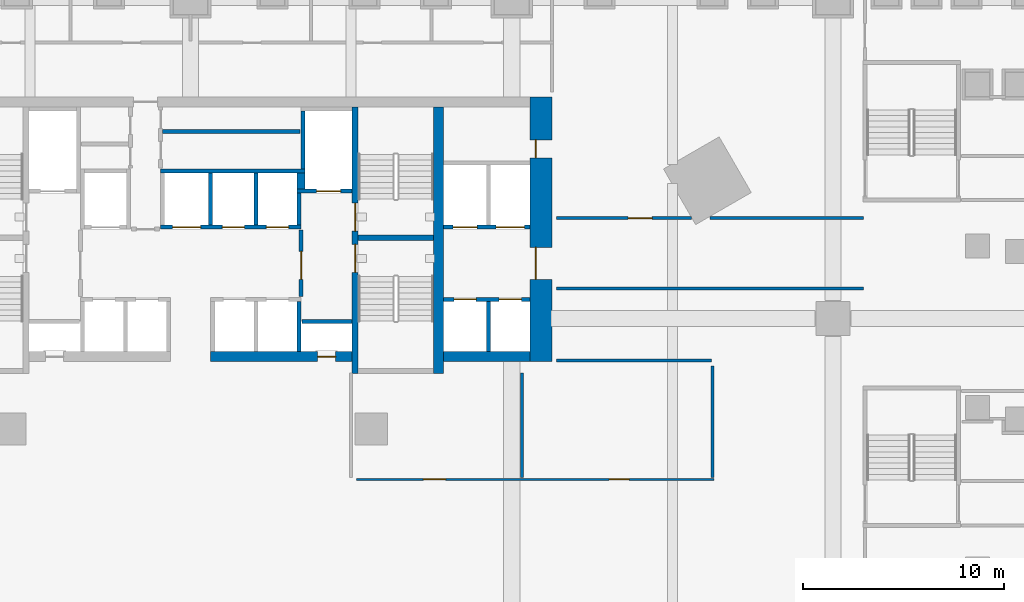
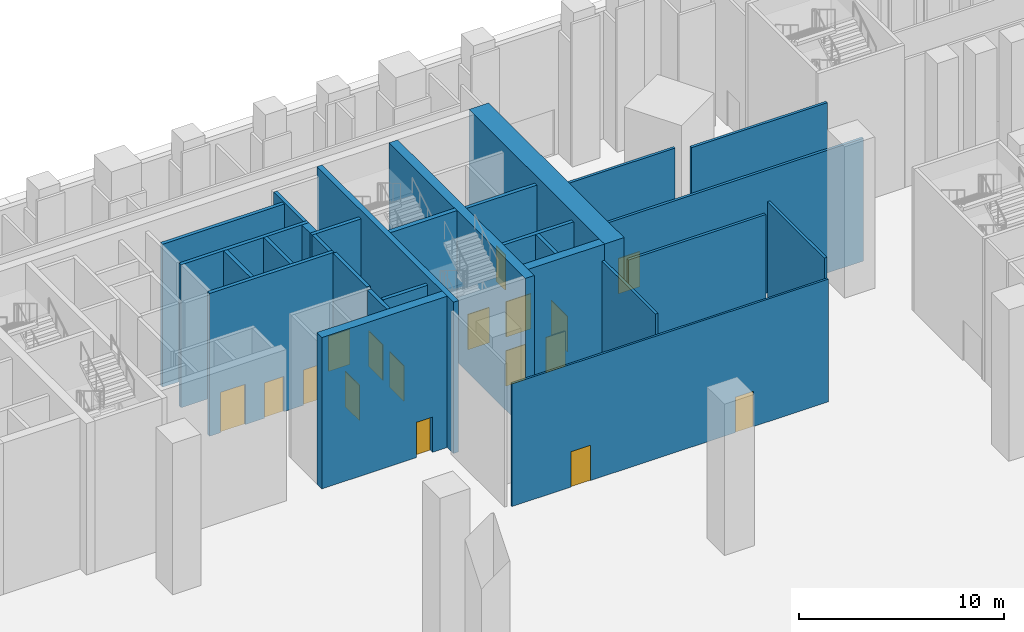
# One storey, part 27 of 51: 28 walls, 17 doors, 17 openings.
"""IFC4 building model written with IfcOpenShell, lengths in metres."""

from ifc_helpers import new_model, si_unit, direction, frame, frame_2d, origin, place, context, subcontext, project, spatial, rectangle, extrude, material, layer, layer_set, type_object, element, fill, save


model = new_model("IFC4")

# Units and contexts
model_context = context("Model", 3, precision=1e-05, world=origin(), true_north=direction((0.0, 1.0)))
body_context = subcontext(model_context, "Body", "Model", "MODEL_VIEW")
ifc_project = project(units=[si_unit("LENGTHUNIT", "METRE"), si_unit("AREAUNIT", "SQUARE_METRE"), si_unit("VOLUMEUNIT", "CUBIC_METRE"), si_unit("PLANEANGLEUNIT", "RADIAN"), si_unit("MASSUNIT", "GRAM", prefix="KILO")], contexts=[model_context])

# Site, building, storey
site_placement = place(None, origin())
site = spatial("IfcSite", under=ifc_project, at=site_placement, CompositionType="ELEMENT")
building_placement = place(site_placement, origin())
building = spatial("IfcBuilding", under=site, at=building_placement, Name="Calabash Gate Tower", CompositionType="ELEMENT")
storey_placement = place(building_placement, origin())
storey = spatial("IfcBuildingStorey", under=building, at=storey_placement, Name="L00", CompositionType="ELEMENT", Elevation=0.0)

# Wall, openings, doors
ifc_material_1 = material(Name="Concrete C80/95", Category="concrete")
ifc_layer_1 = layer(ifc_material_1, 1.10009765625)
ifc_layer_set_1 = layer_set([ifc_layer_1], Name="Core wall 1100 Concrete C80/95")
wall_type_1 = type_object("IfcWallType", Name="Core wall 1100 Concrete C80/95", PredefinedType="SHEAR", material=ifc_layer_set_1)
wall_1_placement = place(storey_placement, frame((17.449951171875, 5.8525390625, 0.0), z_axis=(0.0, 0.0, 1.0), x_axis=(0.0, 1.0, 0.0)))
wall_1 = element("IfcWall", 1, at=wall_1_placement, inside=storey, type_object=wall_type_1, Name="Core wall Z0-ENDE L00", PredefinedType="SHEAR", context=body_context, shape_type="SweptSolid", body=[
    extrude(rectangle(XDim=13.199951171875, YDim=1.10009765625, at=frame_2d((6.60009765625, 0.0))), origin(), (0.0, 0.0, 1.0), 9.0),
])
opening_1_placement = place(wall_1_placement, frame((4.10009765625, 0.0, 0.0)))
opening_1 = element("IfcOpeningElement", 2, at=opening_1_placement, cuts=wall_1, Name="Opening L00-048", PredefinedType="OPENING", context=body_context, shape_type="SweptSolid", body=[
    extrude(rectangle(XDim=1.60009765625, YDim=2.10009765625, at=frame_2d((0.800048828125, 1.050048828125))), frame((0.0, 0.56005859375, 0.0), z_axis=(0.0, -1.0, 0.0), x_axis=(1.0, 0.0, 0.0)), (0.0, 0.0, 1.0), 1.1201171875),
])
opening_2_placement = place(wall_1_placement, frame((10.14990234375, 0.0, 0.0)))
opening_2 = element("IfcOpeningElement", 3, at=opening_2_placement, cuts=wall_1, Name="Opening L00-049", PredefinedType="OPENING", context=body_context, shape_type="SweptSolid", body=[
    extrude(rectangle(XDim=0.89990234375, YDim=2.10009765625, at=frame_2d((0.449951171875, 1.050048828125))), frame((0.0, 0.56005859375, 0.0), z_axis=(0.0, -1.0, 0.0), x_axis=(1.0, 0.0, 0.0)), (0.0, 0.0, 1.0), 1.1201171875),
])
ifc_material_2 = material(Name="Steel fire door set with fire-resisting glazing", Category="steel")
door_type_1 = type_object("IfcDoorType", Name="Double fire door D08 1600x2100 FD60", OperationType="DOUBLE_DOOR_SINGLE_SWING", PredefinedType="DOOR", material=ifc_material_2)
door_1_placement = place(opening_1_placement, origin())
door_1 = element("IfcDoor", 4, at=door_1_placement, inside=storey, type_object=door_type_1, Name="Low-rise Lift Lobby E door", OperationType="DOUBLE_DOOR_SINGLE_SWING", OverallHeight=2.10009765625, OverallWidth=1.60009765625, PredefinedType="DOOR", context=body_context, shape_type="SweptSolid", body=[
    extrude(rectangle(XDim=1.60009765625, YDim=2.10009765625, at=frame_2d((0.800048828125, 1.050048828125))), frame((0.0, 0.27490234375, 0.0), z_axis=(0.0, -1.0, 0.0), x_axis=(1.0, 0.0, 0.0)), (0.0, 0.0, 1.0), 0.050048828125),
])
fill(opening_1, door_1)
ifc_material_3 = material(Name="Steel fire door set with fire-resisting glazing", Category="steel")
door_type_2 = type_object("IfcDoorType", Name="Fire door D06 900x2100 FD60", OperationType="NOTDEFINED", PredefinedType="DOOR", material=ifc_material_3)
door_2_placement = place(opening_2_placement, origin())
door_2 = element("IfcDoor", 5, at=door_2_placement, inside=storey, type_object=door_type_2, Name="Pantry door", OperationType="SINGLE_SWING_LEFT", OverallHeight=2.10009765625, OverallWidth=0.89990234375, PredefinedType="DOOR", context=body_context, shape_type="SweptSolid", body=[
    extrude(rectangle(XDim=0.89990234375, YDim=2.10009765625, at=frame_2d((0.449951171875, 1.050048828125))), frame((0.0, 0.27490234375, 0.0), z_axis=(0.0, -1.0, 0.0), x_axis=(1.0, 0.0, 0.0)), (0.0, 0.0, 1.0), 0.050048828125),
])
fill(opening_2, door_2)

# Wall
ifc_material_4 = material(Name="Concrete C80/95", Category="concrete")
ifc_layer_2 = layer(ifc_material_4, 0.25)
ifc_layer_set_2 = layer_set([ifc_layer_2], Name="Core wall 250 Concrete C80/95")
wall_type_2 = type_object("IfcWallType", Name="Core wall 250 Concrete C80/95", PredefinedType="SHEAR", material=ifc_layer_set_2)
wall_2_placement = place(storey_placement, frame((8.35009765625, 12.027587890625, 0.0), z_axis=(0.0, 0.0, 1.0), x_axis=(1.0, 0.0, 0.0)))
element("IfcWall", 6, at=wall_2_placement, inside=storey, type_object=wall_type_2, Name="Core wall Z0-MIDE L00", PredefinedType="SHEAR", context=body_context, shape_type="SweptSolid", body=[
    extrude(rectangle(XDim=3.75, YDim=0.25, at=frame_2d((1.875, 0.0))), origin(), (0.0, 0.0, 1.0), 9.0),
])

# Wall, openings, doors
ifc_material_5 = material(Name="Concrete C80/95", Category="concrete")
ifc_layer_3 = layer(ifc_material_5, 0.300048828125)
ifc_layer_set_3 = layer_set([ifc_layer_3], Name="Core wall 300 Concrete C80/95")
wall_type_3 = type_object("IfcWallType", Name="Core wall 300 Concrete C80/95", PredefinedType="SHEAR", material=ifc_layer_set_3)
wall_3_placement = place(storey_placement, frame((8.199951171875, 5.252685546875, 0.0), z_axis=(0.0, 0.0, 1.0), x_axis=(0.0, 1.0, 0.0)))
wall_3 = element("IfcWall", 7, at=wall_3_placement, inside=storey, type_object=wall_type_3, Name="Core wall Z0-PARTE L00", PredefinedType="SHEAR", context=body_context, shape_type="SweptSolid", body=[
    extrude(rectangle(XDim=13.2998046875, YDim=0.300048828125, at=frame_2d((6.64990234375, 0.0))), origin(), (0.0, 0.0, 1.0), 9.0),
])
opening_3_placement = place(wall_3_placement, frame((7.10009765625, 0.0, 0.0)))
opening_3 = element("IfcOpeningElement", 8, at=opening_3_placement, cuts=wall_3, Name="Opening L00-034", PredefinedType="OPENING", context=body_context, shape_type="SweptSolid", body=[
    extrude(rectangle(XDim=1.39990234375, YDim=2.10009765625, at=frame_2d((0.699951171875, 1.050048828125))), frame((0.0, 0.159912109375, 0.0), z_axis=(0.0, -1.0, 0.0), x_axis=(1.0, 0.0, 0.0)), (0.0, 0.0, 1.0), 0.320068359375),
])
opening_4_placement = place(wall_3_placement, frame((5.050048828125, 0.0, 0.0)))
opening_4 = element("IfcOpeningElement", 9, at=opening_4_placement, cuts=wall_3, Name="Opening L00-035", PredefinedType="OPENING", context=body_context, shape_type="SweptSolid", body=[
    extrude(rectangle(XDim=1.39990234375, YDim=2.10009765625, at=frame_2d((0.699951171875, 1.050048828125))), frame((0.0, 0.159912109375, 0.0), z_axis=(0.0, -1.0, 0.0), x_axis=(1.0, 0.0, 0.0)), (0.0, 0.0, 1.0), 0.320068359375),
])
ifc_material_6 = material(Name="Steel fire door set with fire-resisting glazing", Category="steel")
door_type_3 = type_object("IfcDoorType", Name="Fire door D05 1400x2100 FD90", OperationType="NOTDEFINED", PredefinedType="DOOR", material=ifc_material_6)
door_3_placement = place(opening_3_placement, origin())
door_3 = element("IfcDoor", 10, at=door_3_placement, inside=storey, type_object=door_type_3, Name="Exit stair door ST3", OperationType="SINGLE_SWING_RIGHT", OverallHeight=2.10009765625, OverallWidth=1.39990234375, PredefinedType="DOOR", context=body_context, shape_type="SweptSolid", body=[
    extrude(rectangle(XDim=1.39990234375, YDim=2.10009765625, at=frame_2d((0.699951171875, 1.050048828125))), frame((0.0, 0.02490234375, 0.0), z_axis=(0.0, -1.0, 0.0), x_axis=(1.0, 0.0, 0.0)), (0.0, 0.0, 1.0), 0.050048828125),
])
fill(opening_3, door_3)
door_4_placement = place(opening_4_placement, origin())
door_4 = element("IfcDoor", 11, at=door_4_placement, inside=storey, type_object=door_type_3, Name="Exit stair door ST4", OperationType="SINGLE_SWING_LEFT", OverallHeight=2.10009765625, OverallWidth=1.39990234375, PredefinedType="DOOR", context=body_context, shape_type="SweptSolid", body=[
    extrude(rectangle(XDim=1.39990234375, YDim=2.10009765625, at=frame_2d((0.699951171875, 1.050048828125))), frame((0.0, 0.02490234375, 0.0), z_axis=(0.0, -1.0, 0.0), x_axis=(1.0, 0.0, 0.0)), (0.0, 0.0, 1.0), 0.050048828125),
])
fill(opening_4, door_4)

# Wall
ifc_material_7 = material(Name="Concrete C80/95", Category="concrete")
ifc_layer_4 = layer(ifc_material_7, 0.5)
ifc_layer_set_4 = layer_set([ifc_layer_4], Name="Core wall 500 Concrete C80/95")
wall_type_4 = type_object("IfcWallType", Name="Core wall 500 Concrete C80/95", PredefinedType="SHEAR", material=ifc_layer_set_4)
wall_4_placement = place(storey_placement, frame((12.35009765625, 5.252685546875, 0.0), z_axis=(0.0, 0.0, 1.0), x_axis=(0.0, 1.0, 0.0)))
element("IfcWall", 12, at=wall_4_placement, inside=storey, type_object=wall_type_4, Name="Core wall Z0-COLE L00", PredefinedType="SHEAR", context=body_context, shape_type="SweptSolid", body=[
    extrude(rectangle(XDim=13.2998046875, YDim=0.5, at=frame_2d((6.64990234375, 0.0))), origin(), (0.0, 0.0, 1.0), 9.0),
])

# Wall, opening, door
wall_5_placement = place(storey_placement, frame((1.0, 6.1025390625, 0.0), z_axis=(0.0, 0.0, 1.0), x_axis=(1.0, 0.0, 0.0)))
wall_5 = element("IfcWall", 13, at=wall_5_placement, inside=storey, type_object=wall_type_4, Name="Core wall Z0-SB L00", PredefinedType="SHEAR", context=body_context, shape_type="SweptSolid", body=[
    extrude(rectangle(XDim=7.050048828125, YDim=0.5, at=frame_2d((3.52490234375, 0.0))), origin(), (0.0, 0.0, 1.0), 9.0),
])
opening_5_placement = place(wall_5_placement, frame((5.324951171875, 0.0, 0.0)))
opening_5 = element("IfcOpeningElement", 14, at=opening_5_placement, cuts=wall_5, Name="Opening L00-045", PredefinedType="OPENING", context=body_context, shape_type="SweptSolid", body=[
    extrude(rectangle(XDim=0.89990234375, YDim=2.10009765625, at=frame_2d((0.449951171875, 1.050048828125))), frame((0.0, 0.260009765625, 0.0), z_axis=(0.0, -1.0, 0.0), x_axis=(1.0, 0.0, 0.0)), (0.0, 0.0, 1.0), 0.52001953125),
])
ifc_material_8 = material(Name="Steel fire door set with fire-resisting glazing", Category="steel")
door_type_4 = type_object("IfcDoorType", Name="Fire door D07 900x2100 FD90", OperationType="NOTDEFINED", PredefinedType="DOOR", material=ifc_material_8)
door_5_placement = place(opening_5_placement, origin())
door_5 = element("IfcDoor", 15, at=door_5_placement, inside=storey, type_object=door_type_4, Name="Mechanical Riser E door", OperationType="SINGLE_SWING_RIGHT", OverallHeight=2.10009765625, OverallWidth=0.89990234375, PredefinedType="DOOR", context=body_context, shape_type="SweptSolid", body=[
    extrude(rectangle(XDim=0.89990234375, YDim=2.10009765625, at=frame_2d((0.449951171875, 1.050048828125))), frame((0.0, 0.02490234375, 0.0), z_axis=(0.0, -1.0, 0.0), x_axis=(1.0, 0.0, 0.0)), (0.0, 0.0, 1.0), 0.050048828125),
])
fill(opening_5, door_5)

# Wall
wall_6_placement = place(storey_placement, frame((12.60009765625, 6.1025390625, 0.0), z_axis=(0.0, 0.0, 1.0), x_axis=(1.0, 0.0, 0.0)))
element("IfcWall", 16, at=wall_6_placement, inside=storey, type_object=wall_type_4, Name="Core wall Z0-SE L00", PredefinedType="SHEAR", context=body_context, shape_type="SweptSolid", body=[
    extrude(rectangle(XDim=4.2998046875, YDim=0.5, at=frame_2d((2.14990234375, 0.0))), origin(), (0.0, 0.0, 1.0), 9.0),
])

# Wall, openings, doors
ifc_material_9 = material(Name="Gypsum board on steel studs, mineral wool", Category="steel")
ifc_layer_5 = layer(ifc_material_9, 0.14990234375)
ifc_layer_set_5 = layer_set([ifc_layer_5], Name="Partition 150 gypsum board")
wall_type_5 = type_object("IfcWallType", Name="Partition 150 gypsum board", PredefinedType="PARTITIONING", material=ifc_layer_set_5)
wall_7_placement = place(storey_placement, frame((8.27001953125, -0.017578125, 0.0), z_axis=(0.0, 0.0, 1.0), x_axis=(1.0, 0.0, 0.0)))
wall_7 = element("IfcWall", 17, at=wall_7_placement, inside=storey, type_object=wall_type_5, Name="Partition", PredefinedType="PARTITIONING", context=body_context, shape_type="SweptSolid", body=[
    extrude(rectangle(XDim=17.804931640625, YDim=0.114990234375, at=frame_2d((8.90234375, 0.0))), origin(), (0.0, 0.0, 1.0), 7.300048828125),
])
opening_6_placement = place(wall_7_placement, frame((3.330078125, 0.0, 0.0)))
opening_6 = element("IfcOpeningElement", 18, at=opening_6_placement, cuts=wall_7, Name="Opening L00-070", PredefinedType="OPENING", context=body_context, shape_type="SweptSolid", body=[
    extrude(rectangle(XDim=1.10009765625, YDim=2.10009765625, at=frame_2d((0.550048828125, 1.050048828125))), frame((0.0, 0.0673828125, 0.0), z_axis=(0.0, -1.0, 0.0), x_axis=(1.0, 0.0, 0.0)), (0.0, 0.0, 1.0), 0.135009765625),
])
opening_7_placement = place(wall_7_placement, frame((12.580078125, 0.0, 0.0)))
opening_7 = element("IfcOpeningElement", 19, at=opening_7_placement, cuts=wall_7, Name="Opening L00-071", PredefinedType="OPENING", context=body_context, shape_type="SweptSolid", body=[
    extrude(rectangle(XDim=1.0, YDim=2.10009765625, at=frame_2d((0.5, 1.050048828125))), frame((0.0, 0.0673828125, 0.0), z_axis=(0.0, -1.0, 0.0), x_axis=(1.0, 0.0, 0.0)), (0.0, 0.0, 1.0), 0.135009765625),
])
ifc_material_10 = material(Name="Steel fire door set with fire-resisting glazing", Category="steel")
door_type_5 = type_object("IfcDoorType", Name="Fire door D11 1000x2100 FD60", OperationType="NOTDEFINED", PredefinedType="DOOR", material=ifc_material_10)
door_6_placement = place(opening_7_placement, origin())
door_6 = element("IfcDoor", 20, at=door_6_placement, inside=storey, type_object=door_type_5, Name="Security Control Room door", OperationType="SINGLE_SWING_RIGHT", OverallHeight=2.10009765625, OverallWidth=1.0, PredefinedType="DOOR", context=body_context, shape_type="SweptSolid", body=[
    extrude(rectangle(XDim=1.0, YDim=2.10009765625, at=frame_2d((0.5, 1.050048828125))), frame((0.0, 0.02490234375, 0.0), z_axis=(0.0, -1.0, 0.0), x_axis=(1.0, 0.0, 0.0)), (0.0, 0.0, 1.0), 0.050048828125),
])
fill(opening_7, door_6)
ifc_material_11 = material(Name="Steel fire door set with fire-resisting glazing", Category="steel")
door_type_6 = type_object("IfcDoorType", Name="Fire door D18 1100x2100 FD90", OperationType="NOTDEFINED", PredefinedType="DOOR", material=ifc_material_11)
door_7_placement = place(opening_6_placement, origin())
door_7 = element("IfcDoor", 21, at=door_7_placement, inside=storey, type_object=door_type_6, Name="Fire Command Room door", OperationType="SINGLE_SWING_RIGHT", OverallHeight=2.10009765625, OverallWidth=1.10009765625, PredefinedType="DOOR", context=body_context, shape_type="SweptSolid", body=[
    extrude(rectangle(XDim=1.10009765625, YDim=2.10009765625, at=frame_2d((0.550048828125, 1.050048828125))), frame((0.0, 0.02490234375, 0.0), z_axis=(0.0, -1.0, 0.0), x_axis=(1.0, 0.0, 0.0)), (0.0, 0.0, 1.0), 0.050048828125),
])
fill(opening_6, door_7)

# Walls
wall_8_placement = place(storey_placement, frame((16.5, 0.074951171875, 0.0), z_axis=(0.0, 0.0, 1.0), x_axis=(0.0, 1.0, 0.0)))
element("IfcWall", 22, at=wall_8_placement, inside=storey, type_object=wall_type_5, Name="Partition", PredefinedType="PARTITIONING", context=body_context, shape_type="SweptSolid", body=[
    extrude(rectangle(XDim=5.203125, YDim=0.14990234375, at=frame_2d((2.6015625, 0.0))), origin(), (0.0, 0.0, 1.0), 8.5),
])
wall_9_placement = place(storey_placement, frame((26.0, 0.074951171875, 0.0), z_axis=(0.0, 0.0, 1.0), x_axis=(0.0, 1.0, 0.0)))
element("IfcWall", 23, at=wall_9_placement, inside=storey, type_object=wall_type_5, Name="Partition", PredefinedType="PARTITIONING", context=body_context, shape_type="SweptSolid", body=[
    extrude(rectangle(XDim=5.554931640625, YDim=0.14990234375, at=frame_2d((2.77734375, 0.0))), origin(), (0.0, 0.0, 1.0), 8.5),
])
wall_10_placement = place(storey_placement, frame((18.22509765625, 5.89990234375, 0.0), z_axis=(0.0, 0.0, 1.0), x_axis=(1.0, 0.0, 0.0)))
element("IfcWall", 24, at=wall_10_placement, inside=storey, type_object=wall_type_5, Name="Partition", PredefinedType="PARTITIONING", context=body_context, shape_type="SweptSolid", body=[
    extrude(rectangle(XDim=7.73486328125, YDim=0.14990234375, at=frame_2d((3.867431640625, 0.0))), origin(), (0.0, 0.0, 1.0), 7.60009765625),
])
wall_11_placement = place(storey_placement, frame((18.22509765625, 9.5, 0.0), z_axis=(0.0, 0.0, 1.0), x_axis=(1.0, 0.0, 0.0)))
element("IfcWall", 25, at=wall_11_placement, inside=storey, type_object=wall_type_5, Name="Partition", PredefinedType="PARTITIONING", context=body_context, shape_type="SweptSolid", body=[
    extrude(rectangle(XDim=15.2998046875, YDim=0.14990234375, at=frame_2d((7.64990234375, 0.0))), origin(), (0.0, 0.0, 1.0), 7.300048828125),
])

# Wall, opening, door
wall_12_placement = place(storey_placement, frame((18.22509765625, 13.0, 0.0), z_axis=(0.0, 0.0, 1.0), x_axis=(1.0, 0.0, 0.0)))
wall_12 = element("IfcWall", 26, at=wall_12_placement, inside=storey, type_object=wall_type_5, Name="Partition", PredefinedType="PARTITIONING", context=body_context, shape_type="SweptSolid", body=[
    extrude(rectangle(XDim=6.732421875, YDim=0.14990234375, at=frame_2d((3.3662109375, 0.0))), origin(), (0.0, 0.0, 1.0), 7.60009765625),
])
opening_8_placement = place(wall_12_placement, frame((3.574951171875, 0.0, 0.0)))
opening_8 = element("IfcOpeningElement", 27, at=opening_8_placement, cuts=wall_12, Name="Opening L00-082", PredefinedType="OPENING", context=body_context, shape_type="SweptSolid", body=[
    extrude(rectangle(XDim=1.199951171875, YDim=2.10009765625, at=frame_2d((0.60009765625, 1.050048828125))), frame((0.0, 0.0849609375, 0.0), z_axis=(0.0, -1.0, 0.0), x_axis=(1.0, 0.0, 0.0)), (0.0, 0.0, 1.0), 0.169921875),
])
ifc_material_12 = material(Name="Steel fire door set with fire-resisting glazing", Category="steel")
door_type_7 = type_object("IfcDoorType", Name="Fire door D09 1200x2100 FD60", OperationType="NOTDEFINED", PredefinedType="DOOR", material=ifc_material_12)
door_8_placement = place(opening_8_placement, origin())
door_8 = element("IfcDoor", 28, at=door_8_placement, inside=storey, type_object=door_type_7, Name="Goods Receiving Corridor door", OperationType="SINGLE_SWING_LEFT", OverallHeight=2.10009765625, OverallWidth=1.199951171875, PredefinedType="DOOR", context=body_context, shape_type="SweptSolid", body=[
    extrude(rectangle(XDim=1.199951171875, YDim=2.10009765625, at=frame_2d((0.60009765625, 1.050048828125))), frame((0.0, 0.02490234375, 0.0), z_axis=(0.0, -1.0, 0.0), x_axis=(1.0, 0.0, 0.0)), (0.0, 0.0, 1.0), 0.050048828125),
])
fill(opening_8, door_8)

# Walls
wall_13_placement = place(storey_placement, frame((25.885986328125, 13.0, 0.0), z_axis=(0.0, 0.0, 1.0), x_axis=(1.0, 0.0, 0.0)))
element("IfcWall", 29, at=wall_13_placement, inside=storey, type_object=wall_type_5, Name="Partition", PredefinedType="PARTITIONING", context=body_context, shape_type="SweptSolid", body=[
    extrude(rectangle(XDim=7.638916015625, YDim=0.14990234375, at=frame_2d((3.8193359375, 0.0))), origin(), (0.0, 0.0, 1.0), 7.300048828125),
])
ifc_material_13 = material(Name="Concrete C40/50", Category="concrete")
ifc_layer_6 = layer(ifc_material_13, 0.199951171875)
ifc_layer_set_6 = layer_set([ifc_layer_6], Name="Shaft wall 200 Concrete C40/50")
wall_type_6 = type_object("IfcWallType", Name="Shaft wall 200 Concrete C40/50", PredefinedType="SOLIDWALL", material=ifc_layer_set_6)
for number, where, z_axis, x_axis, name in (
    (30, (5.39990234375, 6.3525390625, 0.0), (0.0, 0.0, 1.0), (0.0, 1.0, 0.0), "Shaft wall"),
    (31, (14.85009765625, 6.3525390625, 0.0), (0.0, 0.0, 1.0), (0.0, 1.0, 0.0), "Shaft wall"),
    (32, (5.550048828125, 7.8525390625, 0.0), (0.0, 0.0, 1.0), (1.0, 0.0, 0.0), "Shaft wall"),
):
    element("IfcWall", number, at=place(storey_placement, frame(where, z_axis=z_axis, x_axis=x_axis)), inside=storey, type_object=wall_type_6, Name=name, PredefinedType="SOLIDWALL", context=body_context, shape_type="SweptSolid", body=[
        extrude(rectangle(XDim=2.5, YDim=0.199951171875, at=frame_2d((1.25, 0.0))), origin(), (0.0, 0.0, 1.0), 8.5),
    ])

# Wall, openings, doors
wall_14_placement = place(storey_placement, frame((12.60009765625, 8.95263671875, 0.0), z_axis=(0.0, 0.0, 1.0), x_axis=(1.0, 0.0, 0.0)))
wall_14 = element("IfcWall", 33, at=wall_14_placement, inside=storey, type_object=wall_type_6, Name="Shaft wall", PredefinedType="SOLIDWALL", context=body_context, shape_type="SweptSolid", body=[
    extrude(rectangle(XDim=4.2998046875, YDim=0.199951171875, at=frame_2d((2.14990234375, 0.0))), origin(), (0.0, 0.0, 1.0), 8.5),
])
opening_9_placement = place(wall_14_placement, frame((0.52490234375, 0.0, 0.0)))
opening_9 = element("IfcOpeningElement", 34, at=opening_9_placement, cuts=wall_14, Name="Opening LD-LR5", PredefinedType="OPENING", context=body_context, shape_type="SweptSolid", body=[
    extrude(rectangle(XDim=1.10009765625, YDim=2.10009765625, at=frame_2d((0.550048828125, 1.050048828125))), frame((0.0, 0.10986328125, 0.0), z_axis=(0.0, -1.0, 0.0), x_axis=(1.0, 0.0, 0.0)), (0.0, 0.0, 1.0), 0.219970703125),
])
opening_10_placement = place(wall_14_placement, frame((2.77490234375, 0.0, 0.0)))
opening_10 = element("IfcOpeningElement", 35, at=opening_10_placement, cuts=wall_14, Name="Opening LD-LR6", PredefinedType="OPENING", context=body_context, shape_type="SweptSolid", body=[
    extrude(rectangle(XDim=1.10009765625, YDim=2.10009765625, at=frame_2d((0.550048828125, 1.050048828125))), frame((0.0, 0.10986328125, 0.0), z_axis=(0.0, -1.0, 0.0), x_axis=(1.0, 0.0, 0.0)), (0.0, 0.0, 1.0), 0.219970703125),
])
ifc_material_14 = material(Name="Stainless steel sliding door leaves", Category="steel")
door_type_8 = type_object("IfcDoorType", Name="Lift landing door LS1 1100x2100 FD90", OperationType="DOUBLE_DOOR_SLIDING", PredefinedType="DOOR", material=ifc_material_14)
door_9_placement = place(opening_9_placement, origin())
door_9 = element("IfcDoor", 36, at=door_9_placement, inside=storey, type_object=door_type_8, Name="Lift landing door LR5", OperationType="DOUBLE_DOOR_SLIDING", OverallHeight=2.10009765625, OverallWidth=1.10009765625, PredefinedType="DOOR", context=body_context, shape_type="SweptSolid", body=[
    extrude(rectangle(XDim=1.10009765625, YDim=2.10009765625, at=frame_2d((0.550048828125, 1.050048828125))), frame((0.0, 0.02490234375, 0.0), z_axis=(0.0, -1.0, 0.0), x_axis=(1.0, 0.0, 0.0)), (0.0, 0.0, 1.0), 0.050048828125),
])
fill(opening_9, door_9)
door_10_placement = place(opening_10_placement, origin())
door_10 = element("IfcDoor", 37, at=door_10_placement, inside=storey, type_object=door_type_8, Name="Lift landing door LR6", OperationType="DOUBLE_DOOR_SLIDING", OverallHeight=2.10009765625, OverallWidth=1.10009765625, PredefinedType="DOOR", context=body_context, shape_type="SweptSolid", body=[
    extrude(rectangle(XDim=1.10009765625, YDim=2.10009765625, at=frame_2d((0.550048828125, 1.050048828125))), frame((0.0, 0.02490234375, 0.0), z_axis=(0.0, -1.0, 0.0), x_axis=(1.0, 0.0, 0.0)), (0.0, 0.0, 1.0), 0.050048828125),
])
fill(opening_10, door_10)

# Wall, opening, door
wall_15_placement = place(storey_placement, frame((5.5, 9.1025390625, 0.0), z_axis=(0.0, 0.0, 1.0), x_axis=(0.0, 1.0, 0.0)))
wall_15 = element("IfcWall", 38, at=wall_15_placement, inside=storey, type_object=wall_type_6, Name="Shaft wall", PredefinedType="SOLIDWALL", context=body_context, shape_type="SweptSolid", body=[
    extrude(rectangle(XDim=3.300048828125, YDim=0.199951171875, at=frame_2d((1.64990234375, 0.0))), origin(), (0.0, 0.0, 1.0), 8.5),
])
opening_11_placement = place(wall_15_placement, frame((0.85009765625, 0.0, 0.0)))
opening_11 = element("IfcOpeningElement", 39, at=opening_11_placement, cuts=wall_15, Name="Opening L00-039", PredefinedType="OPENING", context=body_context, shape_type="SweptSolid", body=[
    extrude(rectangle(XDim=1.39990234375, YDim=2.10009765625, at=frame_2d((0.699951171875, 1.050048828125))), frame((0.0, 0.10986328125, 0.0), z_axis=(0.0, -1.0, 0.0), x_axis=(1.0, 0.0, 0.0)), (0.0, 0.0, 1.0), 0.219970703125),
])
door_11_placement = place(opening_11_placement, origin())
door_11 = element("IfcDoor", 40, at=door_11_placement, inside=storey, type_object=door_type_3, Name="Firefighting Lobby E door", OperationType="SINGLE_SWING_LEFT", OverallHeight=2.10009765625, OverallWidth=1.39990234375, PredefinedType="DOOR", context=body_context, shape_type="SweptSolid", body=[
    extrude(rectangle(XDim=1.39990234375, YDim=2.10009765625, at=frame_2d((0.699951171875, 1.050048828125))), frame((0.0, 0.02490234375, 0.0), z_axis=(0.0, -1.0, 0.0), x_axis=(1.0, 0.0, 0.0)), (0.0, 0.0, 1.0), 0.050048828125),
])
fill(opening_11, door_11)

# Wall, openings, doors
wall_16_placement = place(storey_placement, frame((-1.5, 12.552490234375, 0.0), z_axis=(0.0, 0.0, 1.0), x_axis=(1.0, 0.0, 0.0)))
wall_16 = element("IfcWall", 41, at=wall_16_placement, inside=storey, type_object=wall_type_6, Name="Shaft wall", PredefinedType="SOLIDWALL", context=body_context, shape_type="SweptSolid", body=[
    extrude(rectangle(XDim=7.0, YDim=0.199951171875, at=frame_2d((3.5, 0.0))), origin(), (0.0, 0.0, 1.0), 8.5),
])
opening_12_placement = place(wall_16_placement, frame((0.60009765625, 0.0, 0.0)))
opening_12 = element("IfcOpeningElement", 42, at=opening_12_placement, cuts=wall_16, Name="Opening LD-OB2", PredefinedType="OPENING", context=body_context, shape_type="SweptSolid", body=[
    extrude(rectangle(XDim=1.39990234375, YDim=2.39990234375, at=frame_2d((0.699951171875, 1.199951171875))), frame((0.0, 0.10986328125, 0.0), z_axis=(0.0, -1.0, 0.0), x_axis=(1.0, 0.0, 0.0)), (0.0, 0.0, 1.0), 0.219970703125),
])
opening_13_placement = place(wall_16_placement, frame((3.074951171875, 0.0, 0.0)))
opening_13 = element("IfcOpeningElement", 43, at=opening_13_placement, cuts=wall_16, Name="Opening LD-HR5", PredefinedType="OPENING", context=body_context, shape_type="SweptSolid", body=[
    extrude(rectangle(XDim=1.10009765625, YDim=2.10009765625, at=frame_2d((0.550048828125, 1.050048828125))), frame((0.0, 0.10986328125, 0.0), z_axis=(0.0, -1.0, 0.0), x_axis=(1.0, 0.0, 0.0)), (0.0, 0.0, 1.0), 0.219970703125),
])
opening_14_placement = place(wall_16_placement, frame((5.27490234375, 0.0, 0.0)))
opening_14 = element("IfcOpeningElement", 44, at=opening_14_placement, cuts=wall_16, Name="Opening LD-HR6", PredefinedType="OPENING", context=body_context, shape_type="SweptSolid", body=[
    extrude(rectangle(XDim=1.10009765625, YDim=2.10009765625, at=frame_2d((0.550048828125, 1.050048828125))), frame((0.0, 0.10986328125, 0.0), z_axis=(0.0, -1.0, 0.0), x_axis=(1.0, 0.0, 0.0)), (0.0, 0.0, 1.0), 0.219970703125),
])
door_12_placement = place(opening_13_placement, origin())
door_12 = element("IfcDoor", 45, at=door_12_placement, inside=storey, type_object=door_type_8, Name="Lift landing door HR5", OperationType="DOUBLE_DOOR_SLIDING", OverallHeight=2.10009765625, OverallWidth=1.10009765625, PredefinedType="DOOR", context=body_context, shape_type="SweptSolid", body=[
    extrude(rectangle(XDim=1.10009765625, YDim=2.10009765625, at=frame_2d((0.550048828125, 1.050048828125))), frame((0.0, 0.02490234375, 0.0), z_axis=(0.0, -1.0, 0.0), x_axis=(1.0, 0.0, 0.0)), (0.0, 0.0, 1.0), 0.050048828125),
])
fill(opening_13, door_12)
door_13_placement = place(opening_14_placement, origin())
door_13 = element("IfcDoor", 46, at=door_13_placement, inside=storey, type_object=door_type_8, Name="Lift landing door HR6", OperationType="DOUBLE_DOOR_SLIDING", OverallHeight=2.10009765625, OverallWidth=1.10009765625, PredefinedType="DOOR", context=body_context, shape_type="SweptSolid", body=[
    extrude(rectangle(XDim=1.10009765625, YDim=2.10009765625, at=frame_2d((0.550048828125, 1.050048828125))), frame((0.0, 0.02490234375, 0.0), z_axis=(0.0, -1.0, 0.0), x_axis=(1.0, 0.0, 0.0)), (0.0, 0.0, 1.0), 0.050048828125),
])
fill(opening_14, door_13)
ifc_material_15 = material(Name="Stainless steel sliding door leaves", Category="steel")
door_type_9 = type_object("IfcDoorType", Name="Lift landing door LS2 1400x2400 FD90", OperationType="DOUBLE_DOOR_SLIDING", PredefinedType="DOOR", material=ifc_material_15)
door_14_placement = place(opening_12_placement, origin())
door_14 = element("IfcDoor", 47, at=door_14_placement, inside=storey, type_object=door_type_9, Name="Lift landing door OB2", OperationType="DOUBLE_DOOR_SLIDING", OverallHeight=2.39990234375, OverallWidth=1.39990234375, PredefinedType="DOOR", context=body_context, shape_type="SweptSolid", body=[
    extrude(rectangle(XDim=1.39990234375, YDim=2.39990234375, at=frame_2d((0.699951171875, 1.199951171875))), frame((0.0, 0.02490234375, 0.0), z_axis=(0.0, -1.0, 0.0), x_axis=(1.0, 0.0, 0.0)), (0.0, 0.0, 1.0), 0.050048828125),
])
fill(opening_12, door_14)

wall_17_placement = place(storey_placement, frame((12.60009765625, 12.552490234375, 0.0), z_axis=(0.0, 0.0, 1.0), x_axis=(1.0, 0.0, 0.0)))
wall_17 = element("IfcWall", 48, at=wall_17_placement, inside=storey, type_object=wall_type_6, Name="Shaft wall", PredefinedType="SOLIDWALL", context=body_context, shape_type="SweptSolid", body=[
    extrude(rectangle(XDim=4.2998046875, YDim=0.199951171875, at=frame_2d((2.14990234375, 0.0))), origin(), (0.0, 0.0, 1.0), 8.5),
])
opening_15_placement = place(wall_17_placement, frame((0.47509765625, 0.0, 0.0)))
opening_15 = element("IfcOpeningElement", 49, at=opening_15_placement, cuts=wall_17, Name="Opening LD-SL1", PredefinedType="OPENING", context=body_context, shape_type="SweptSolid", body=[
    extrude(rectangle(XDim=1.199951171875, YDim=2.10009765625, at=frame_2d((0.60009765625, 1.050048828125))), frame((0.0, 0.10986328125, 0.0), z_axis=(0.0, -1.0, 0.0), x_axis=(1.0, 0.0, 0.0)), (0.0, 0.0, 1.0), 0.219970703125),
])
opening_16_placement = place(wall_17_placement, frame((2.625, 0.0, 0.0)))
opening_16 = element("IfcOpeningElement", 50, at=opening_16_placement, cuts=wall_17, Name="Opening LD-GL1", PredefinedType="OPENING", context=body_context, shape_type="SweptSolid", body=[
    extrude(rectangle(XDim=1.39990234375, YDim=2.10009765625, at=frame_2d((0.699951171875, 1.050048828125))), frame((0.0, 0.10986328125, 0.0), z_axis=(0.0, -1.0, 0.0), x_axis=(1.0, 0.0, 0.0)), (0.0, 0.0, 1.0), 0.219970703125),
])
ifc_material_16 = material(Name="Stainless steel sliding door leaves", Category="steel")
door_type_10 = type_object("IfcDoorType", Name="Lift landing door LS3 1200x2100 FD90", OperationType="DOUBLE_DOOR_SLIDING", PredefinedType="DOOR", material=ifc_material_16)
door_15_placement = place(opening_15_placement, origin())
door_15 = element("IfcDoor", 51, at=door_15_placement, inside=storey, type_object=door_type_10, Name="Lift landing door SL1", OperationType="DOUBLE_DOOR_SLIDING", OverallHeight=2.10009765625, OverallWidth=1.199951171875, PredefinedType="DOOR", context=body_context, shape_type="SweptSolid", body=[
    extrude(rectangle(XDim=1.199951171875, YDim=2.10009765625, at=frame_2d((0.60009765625, 1.050048828125))), frame((0.0, 0.02490234375, 0.0), z_axis=(0.0, -1.0, 0.0), x_axis=(1.0, 0.0, 0.0)), (0.0, 0.0, 1.0), 0.050048828125),
])
fill(opening_15, door_15)
ifc_material_17 = material(Name="Stainless steel sliding door leaves", Category="steel")
door_type_11 = type_object("IfcDoorType", Name="Lift landing door LS4 1400x2100 FD90", OperationType="DOUBLE_DOOR_SLIDING", PredefinedType="DOOR", material=ifc_material_17)
door_16_placement = place(opening_16_placement, origin())
door_16 = element("IfcDoor", 52, at=door_16_placement, inside=storey, type_object=door_type_11, Name="Lift landing door GL1", OperationType="DOUBLE_DOOR_SLIDING", OverallHeight=2.10009765625, OverallWidth=1.39990234375, PredefinedType="DOOR", context=body_context, shape_type="SweptSolid", body=[
    extrude(rectangle(XDim=1.39990234375, YDim=2.10009765625, at=frame_2d((0.699951171875, 1.050048828125))), frame((0.0, 0.02490234375, 0.0), z_axis=(0.0, -1.0, 0.0), x_axis=(1.0, 0.0, 0.0)), (0.0, 0.0, 1.0), 0.050048828125),
])
fill(opening_16, door_16)

# Walls
for number, where, z_axis, x_axis, name in (
    (53, (1.0, 12.652587890625, 0.0), (0.0, 0.0, 1.0), (0.0, 1.0, 0.0), "Shaft wall"),
    (54, (3.25, 12.652587890625, 0.0), (0.0, 0.0, 1.0), (0.0, 1.0, 0.0), "Shaft wall"),
):
    element("IfcWall", number, at=place(storey_placement, frame(where, z_axis=z_axis, x_axis=x_axis)), inside=storey, type_object=wall_type_6, Name=name, PredefinedType="SOLIDWALL", context=body_context, shape_type="SweptSolid", body=[
        extrude(rectangle(XDim=2.60009765625, YDim=0.199951171875, at=frame_2d((1.300048828125, 0.0))), origin(), (0.0, 0.0, 1.0), 8.5),
    ])
wall_18_placement = place(storey_placement, frame((5.39990234375, 12.652587890625, 0.0), z_axis=(0.0, 0.0, 1.0), x_axis=(0.0, 1.0, 0.0)))
element("IfcWall", 55, at=wall_18_placement, inside=storey, type_object=wall_type_6, Name="Shaft wall", PredefinedType="SOLIDWALL", context=body_context, shape_type="SweptSolid", body=[
    extrude(rectangle(XDim=1.60009765625, YDim=0.199951171875, at=frame_2d((0.800048828125, 0.0))), origin(), (0.0, 0.0, 1.0), 8.5),
])

# Wall, opening, door
wall_19_placement = place(storey_placement, frame((5.300048828125, 14.3525390625, 0.0), z_axis=(0.0, 0.0, 1.0), x_axis=(1.0, 0.0, 0.0)))
wall_19 = element("IfcWall", 56, at=wall_19_placement, inside=storey, type_object=wall_type_6, Name="Shaft wall", PredefinedType="SOLIDWALL", context=body_context, shape_type="SweptSolid", body=[
    extrude(rectangle(XDim=2.75, YDim=0.199951171875, at=frame_2d((1.375, 0.0))), origin(), (0.0, 0.0, 1.0), 8.5),
])
opening_17_placement = place(wall_19_placement, frame((0.97509765625, 0.0, 0.0)))
opening_17 = element("IfcOpeningElement", 57, at=opening_17_placement, cuts=wall_19, Name="Opening LD-FF2", PredefinedType="OPENING", context=body_context, shape_type="SweptSolid", body=[
    extrude(rectangle(XDim=1.199951171875, YDim=2.10009765625, at=frame_2d((0.60009765625, 1.050048828125))), frame((0.0, 0.10986328125, 0.0), z_axis=(0.0, -1.0, 0.0), x_axis=(1.0, 0.0, 0.0)), (0.0, 0.0, 1.0), 0.219970703125),
])
door_17_placement = place(opening_17_placement, origin())
door_17 = element("IfcDoor", 58, at=door_17_placement, inside=storey, type_object=door_type_10, Name="Lift landing door FF2", OperationType="DOUBLE_DOOR_SLIDING", OverallHeight=2.10009765625, OverallWidth=1.199951171875, PredefinedType="DOOR", context=body_context, shape_type="SweptSolid", body=[
    extrude(rectangle(XDim=1.199951171875, YDim=2.10009765625, at=frame_2d((0.60009765625, 1.050048828125))), frame((0.0, 0.02490234375, 0.0), z_axis=(0.0, -1.0, 0.0), x_axis=(1.0, 0.0, 0.0)), (0.0, 0.0, 1.0), 0.050048828125),
])
fill(opening_17, door_17)

# Walls
wall_20_placement = place(storey_placement, frame((5.5, 14.45263671875, 0.0), z_axis=(0.0, 0.0, 1.0), x_axis=(0.0, 1.0, 0.0)))
element("IfcWall", 59, at=wall_20_placement, inside=storey, type_object=wall_type_6, Name="Shaft wall", PredefinedType="SOLIDWALL", context=body_context, shape_type="SweptSolid", body=[
    extrude(rectangle(XDim=0.800048828125, YDim=0.39990234375, at=frame_2d((0.39990234375, 0.0))), origin(), (0.0, 0.0, 1.0), 8.5),
])
wall_21_placement = place(storey_placement, frame((-1.5, 15.3525390625, 0.0), z_axis=(0.0, 0.0, 1.0), x_axis=(1.0, 0.0, 0.0)))
element("IfcWall", 60, at=wall_21_placement, inside=storey, type_object=wall_type_6, Name="Shaft wall", PredefinedType="SOLIDWALL", context=body_context, shape_type="SweptSolid", body=[
    extrude(rectangle(XDim=7.199951171875, YDim=0.199951171875, at=frame_2d((3.60009765625, 0.0))), origin(), (0.0, 0.0, 1.0), 8.5),
])
wall_22_placement = place(storey_placement, frame((5.60009765625, 15.45263671875, 0.0), z_axis=(0.0, 0.0, 1.0), x_axis=(0.0, 1.0, 0.0)))
element("IfcWall", 61, at=wall_22_placement, inside=storey, type_object=wall_type_6, Name="Shaft wall", PredefinedType="SOLIDWALL", context=body_context, shape_type="SweptSolid", body=[
    extrude(rectangle(XDim=2.89990234375, YDim=0.199951171875, at=frame_2d((1.449951171875, 0.0))), origin(), (0.0, 0.0, 1.0), 8.5),
])
wall_23_placement = place(storey_placement, frame((-1.39990234375, 17.3125, 0.0), z_axis=(0.0, 0.0, 1.0), x_axis=(1.0, 0.0, 0.0)))
element("IfcWall", 62, at=wall_23_placement, inside=storey, type_object=wall_type_6, Name="Shaft wall", PredefinedType="SOLIDWALL", context=body_context, shape_type="SweptSolid", body=[
    extrude(rectangle(XDim=6.849853515625, YDim=0.199951171875, at=frame_2d((3.4248046875, 0.0))), origin(), (0.0, 0.0, 1.0), 8.5),
])

save(model, "model.ifc")
